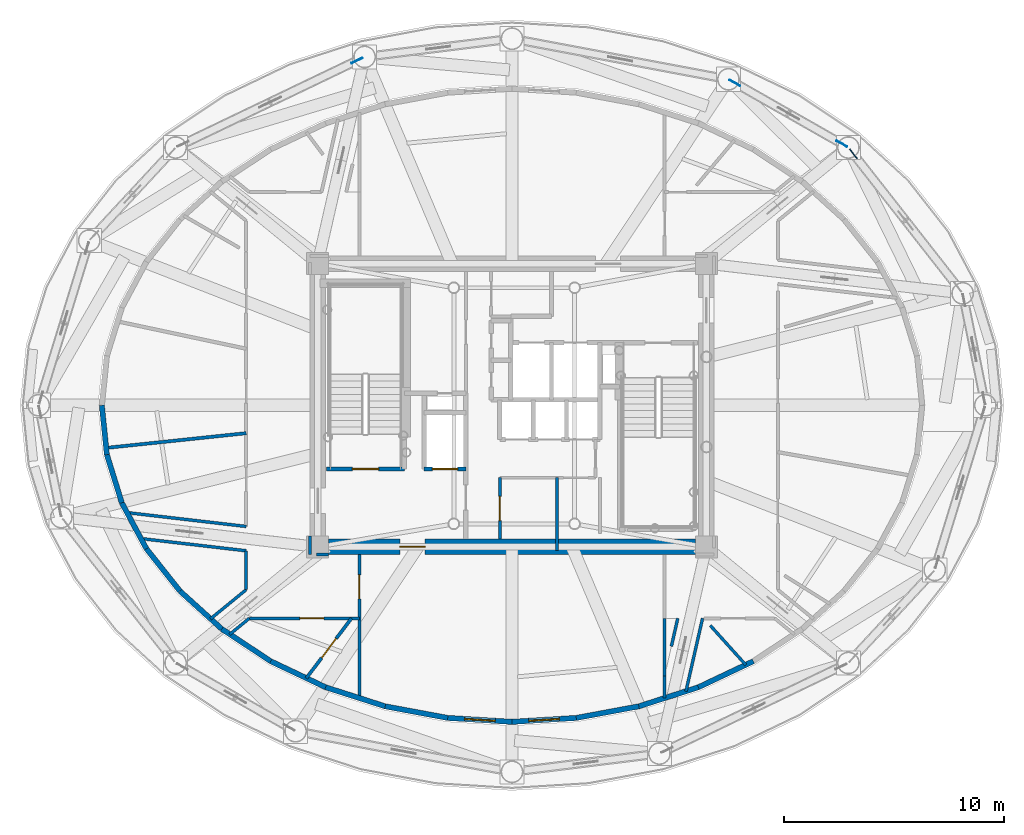
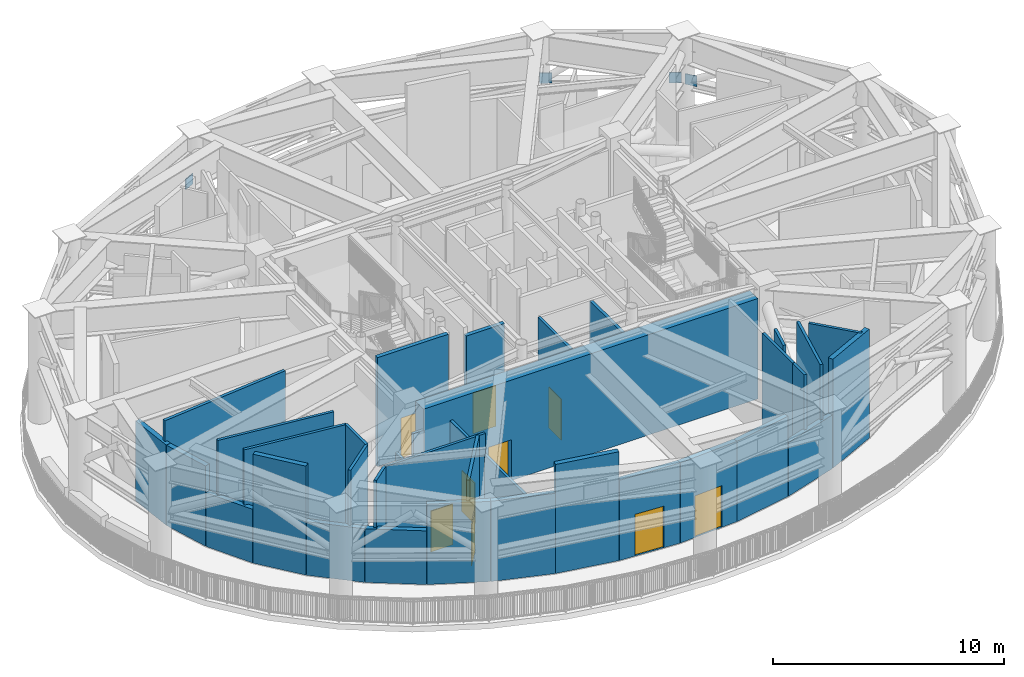
# One storey, part 7 of 17: 35 walls, 9 doors, 4 plates, 9 openings.
"""IFC4 building model written with IfcOpenShell, lengths in metres."""

from ifc_helpers import new_model, si_unit, direction, frame, frame_2d, origin, origin_2d, place, context, subcontext, project, spatial, rectangle, extrude, source, transform, mapped, material, layer, layer_set, type_object, element, fill, save


model = new_model("IFC4")

# Units and contexts
model_context = context("Model", 3, precision=1e-05, world=origin(), true_north=direction((0.0, 1.0)))
body_context = subcontext(model_context, "Body", "Model", "MODEL_VIEW")
ifc_project = project(units=[si_unit("LENGTHUNIT", "METRE"), si_unit("AREAUNIT", "SQUARE_METRE"), si_unit("VOLUMEUNIT", "CUBIC_METRE"), si_unit("PLANEANGLEUNIT", "RADIAN"), si_unit("MASSUNIT", "GRAM", prefix="KILO")], contexts=[model_context])

# Site, building, storey
site_placement = place(None, origin())
site = spatial("IfcSite", under=ifc_project, at=site_placement, CompositionType="ELEMENT")
building_placement = place(site_placement, origin())
building = spatial("IfcBuilding", under=site, at=building_placement, Name="Linh Dai School and Residence Tower", CompositionType="ELEMENT")
storey_placement = place(building_placement, frame((0.0, 0.0, 318.0)))
storey = spatial("IfcBuildingStorey", under=building, at=storey_placement, Name="L79", CompositionType="ELEMENT", Elevation=318.0)

# Plates
ifc_material_1 = material(Name="Structural Steel S355JR", Category="steel")
ifc_layer_1 = layer(ifc_material_1, 0.0400390625)
ifc_layer_set_1 = layer_set([ifc_layer_1], Name="Structural Steel S355JR")
plate_type = type_object("IfcPlateType", Name="PLT-GP1", PredefinedType="USERDEFINED", material=ifc_layer_set_1)
shared_shape_1 = source(origin(), body_context, "Body", "SweptSolid", [
    extrude(rectangle(XDim=0.550048828125, YDim=0.0400390625, at=origin_2d()), origin(), (0.0, 0.0, 1.0), 0.550048828125),
])
for number, where, z_axis, x_axis, name in (
    (1, (51.543701171875, 38.441650390625, 2.97265625), (0.0, 0.0, 1.0), (-0.616871256909, 0.787064071343, 0.0), "L79 Belt Truss BT4 Root End Gusset 02B"),
    (2, (51.018310546875, 38.902099609375, 3.01953125), (0.0, 0.0, 1.0), (-0.86927465453, 0.494329419508, 0.0), "L79 Belt Truss BT4 Root End Gusset 03A"),
    (3, (46.151123046875, 41.669921875, 3.01953125), (0.0, 0.0, 1.0), (-0.86927465453, 0.494329419508, 0.0), "L79 Belt Truss BT4 Root End Gusset 03B"),
    (4, (28.945068359375, 42.693603515625, 2.9541015625), (0.0, 0.0, 1.0), (-0.901725774799, -0.432308485994, 0.0), "L79 Belt Truss BT4 Root End Gusset 06A"),
):
    element("IfcPlate", number, at=place(storey_placement, frame(where, z_axis=z_axis, x_axis=x_axis)), inside=storey, type_object=plate_type, Name=name, ObjectType="GUSSET PLATE", PredefinedType="USERDEFINED", context=body_context, shape_type="MappedRepresentation", body=[
        mapped(shared_shape_1, transform((0.0, 0.0, 0.0), x_axis=(1.0, 0.0, 0.0), y_axis=(0.0, 1.0, 0.0), z_axis=(0.0, 0.0, 1.0), scale=1.0)),
    ])

# Walls
ifc_material_2 = material(Name="Precast Concrete B45 (C35/45)", Category="concrete")
ifc_layer_2 = layer(ifc_material_2, 0.239990234375)
ifc_layer_set_2 = layer_set([ifc_layer_2], Name="Precast Concrete B45 (C35/45)")
wall_type_1 = type_object("IfcWallType", Name="EW-TC-240", PredefinedType="SOLIDWALL", material=ifc_layer_set_2)
wall_1_placement = place(storey_placement, frame((17.553955078125, 24.75048828125, 0.0), z_axis=(0.0, 0.0, 1.0), x_axis=(-0.101278157468, 0.994858148089, 0.0)))
element("IfcWall", 5, at=wall_1_placement, inside=storey, type_object=wall_type_1, Name="L79 Terracotta Exterior Wall 21", PredefinedType="SOLIDWALL", context=body_context, shape_type="SweptSolid", body=[
    extrude(rectangle(XDim=2.26123046875, YDim=0.239990234375, at=frame_2d((1.130615234375, 0.0))), origin(), (0.0, 0.0, 1.0), 4.235107421875),
])
wall_2_placement = place(storey_placement, frame((18.2353515625, 22.555419921875, 0.0), z_axis=(0.0, 0.0, 1.0), x_axis=(-0.296466035026, 0.95504339696, 0.0)))
element("IfcWall", 6, at=wall_2_placement, inside=storey, type_object=wall_type_1, Name="L79 Terracotta Exterior Wall 22", PredefinedType="SOLIDWALL", context=body_context, shape_type="SweptSolid", body=[
    extrude(rectangle(XDim=2.29833984375, YDim=0.239990234375, at=frame_2d((1.149169921875, 0.0))), origin(), (0.0, 0.0, 1.0), 4.235107421875),
])
wall_3_placement = place(storey_placement, frame((19.353515625, 20.4677734375, 0.0), z_axis=(0.0, 0.0, 1.0), x_axis=(-0.472149891985, 0.881518280865, 0.0)))
element("IfcWall", 7, at=wall_3_placement, inside=storey, type_object=wall_type_1, Name="L79 Terracotta Exterior Wall 23", PredefinedType="SOLIDWALL", context=body_context, shape_type="SweptSolid", body=[
    extrude(rectangle(XDim=2.3681640625, YDim=0.239990234375, at=frame_2d((1.18408203125, 0.0))), origin(), (0.0, 0.0, 1.0), 2.83203125),
])
wall_4_placement = place(storey_placement, frame((20.881591796875, 18.539306640625, 0.0), z_axis=(0.0, 0.0, 1.0), x_axis=(-0.621045987707, 0.783774126361, 0.0)))
element("IfcWall", 8, at=wall_4_placement, inside=storey, type_object=wall_type_1, Name="L79 Terracotta Exterior Wall 24", PredefinedType="SOLIDWALL", context=body_context, shape_type="SweptSolid", body=[
    extrude(rectangle(XDim=2.46044921875, YDim=0.239990234375, at=frame_2d((1.230224609375, 0.0))), origin(), (0.0, 0.0, 1.0), 5.75),
])
wall_5_placement = place(storey_placement, frame((22.782958984375, 16.817626953125, 0.0), z_axis=(0.0, 0.0, 1.0), x_axis=(-0.741265131079, 0.671212340058, 0.0)))
element("IfcWall", 9, at=wall_5_placement, inside=storey, type_object=wall_type_1, Name="L79 Terracotta Exterior Wall 25", PredefinedType="SOLIDWALL", context=body_context, shape_type="SweptSolid", body=[
    extrude(rectangle(XDim=2.56494140625, YDim=0.239990234375, at=frame_2d((1.282470703125, 0.0))), origin(), (0.0, 0.0, 1.0), 2.83203125),
])
wall_6_placement = place(storey_placement, frame((25.010986328125, 15.345947265625, 0.0), z_axis=(0.0, 0.0, 1.0), x_axis=(-0.834405901953, 0.551150424827, 0.0)))
element("IfcWall", 10, at=wall_6_placement, inside=storey, type_object=wall_type_1, Name="L79 Terracotta Exterior Wall 26", PredefinedType="SOLIDWALL", context=body_context, shape_type="SweptSolid", body=[
    extrude(rectangle(XDim=2.670166015625, YDim=0.239990234375, at=frame_2d((1.3349609375, 0.0))), origin(), (0.0, 0.0, 1.0), 2.83203125),
])
wall_7_placement = place(storey_placement, frame((27.5107421875, 14.1611328125, 0.0), z_axis=(0.0, 0.0, 1.0), x_axis=(-0.903637179904, 0.428298782505, 0.0)))
element("IfcWall", 11, at=wall_7_placement, inside=storey, type_object=wall_type_1, Name="L79 Terracotta Exterior Wall 27", PredefinedType="SOLIDWALL", context=body_context, shape_type="SweptSolid", body=[
    extrude(rectangle(XDim=2.766357421875, YDim=0.239990234375, at=frame_2d((1.38330078125, 0.0))), origin(), (0.0, 0.0, 1.0), 4.235107421875),
])
wall_8_placement = place(storey_placement, frame((30.220947265625, 13.29296875, 0.0), z_axis=(0.0, 0.0, 1.0), x_axis=(-0.952332464146, 0.305062088326, 0.0)))
element("IfcWall", 12, at=wall_8_placement, inside=storey, type_object=wall_type_1, Name="L79 Terracotta Exterior Wall 28", PredefinedType="SOLIDWALL", context=body_context, shape_type="SweptSolid", body=[
    extrude(rectangle(XDim=2.845947265625, YDim=0.239990234375, at=frame_2d((1.4228515625, 0.0))), origin(), (0.0, 0.0, 1.0), 4.235107421875),
])
wall_9_placement = place(storey_placement, frame((33.07421875, 12.76318359375, 0.0), z_axis=(0.0, 0.0, 1.0), x_axis=(-0.983195423776, 0.182556179481, 0.0)))
element("IfcWall", 13, at=wall_9_placement, inside=storey, type_object=wall_type_1, Name="L79 Terracotta Exterior Wall 29", PredefinedType="SOLIDWALL", context=body_context, shape_type="SweptSolid", body=[
    extrude(rectangle(XDim=2.902099609375, YDim=0.239990234375, at=frame_2d((1.451171875, 0.0))), origin(), (0.0, 0.0, 1.0), 5.75),
])

# Wall, opening, door
wall_10_placement = place(storey_placement, frame((36.0, 12.5849609375, 0.0), z_axis=(0.0, 0.0, 1.0), x_axis=(-0.998149855878, 0.060801852035, 0.0)))
wall_10 = element("IfcWall", 14, at=wall_10_placement, inside=storey, type_object=wall_type_1, Name="L79 Terracotta Exterior Wall 30", PredefinedType="SOLIDWALL", context=body_context, shape_type="SweptSolid", body=[
    extrude(rectangle(XDim=2.93115234375, YDim=0.239990234375, at=frame_2d((1.465576171875, 0.0))), origin(), (0.0, 0.0, 1.0), 4.235107421875),
])
opening_1_placement = place(wall_10_placement, frame((0.765625, 0.0, 0.0)))
opening_1 = element("IfcOpeningElement", 15, at=opening_1_placement, cuts=wall_10, Name="Opening DD1", PredefinedType="OPENING", context=body_context, shape_type="SweptSolid", body=[
    extrude(rectangle(XDim=1.39990234375, YDim=2.199951171875, at=origin_2d()), frame((0.699951171875, 0.1298828125, 1.10009765625), z_axis=(0.0, -1.0, 0.0), x_axis=(1.0, 0.0, 0.0)), (0.0, 0.0, 1.0), 0.260009765625),
])
ifc_material_3 = material(Name="Glazed Aluminium Terrace Door", Category="aluminium")
door_type_1 = type_object("IfcDoorType", Name="DR-DECK-1400x2200", OperationType="NOTDEFINED", PredefinedType="DOOR", material=ifc_material_3)
shared_shape_2 = source(origin(), body_context, "Body", "SweptSolid", [
    extrude(rectangle(XDim=1.39990234375, YDim=2.199951171875, at=origin_2d()), frame((0.699951171875, 0.02490234375, 1.10009765625), z_axis=(0.0, -1.0, 0.0), x_axis=(1.0, 0.0, 0.0)), (0.0, 0.0, 1.0), 0.050048828125),
])
door_1_placement = place(opening_1_placement, origin())
door_1 = element("IfcDoor", 16, at=door_1_placement, inside=storey, type_object=door_type_1, Name="L79 Outdoor Terrace Access Door 30", OperationType="SINGLE_SWING_LEFT", OverallHeight=2.199951171875, OverallWidth=1.39990234375, PredefinedType="DOOR", context=body_context, shape_type="MappedRepresentation", body=[
    mapped(shared_shape_2, transform((0.0, 0.0, 0.0), x_axis=(1.0, 0.0, 0.0), y_axis=(0.0, 1.0, 0.0), z_axis=(0.0, 0.0, 1.0), scale=1.0)),
])
fill(opening_1, door_1)

wall_11_placement = place(storey_placement, frame((38.92578125, 12.76318359375, 0.0), z_axis=(0.0, 0.0, 1.0), x_axis=(-0.998149855878, -0.060801852035, 0.0)))
wall_11 = element("IfcWall", 17, at=wall_11_placement, inside=storey, type_object=wall_type_1, Name="L79 Terracotta Exterior Wall 31", PredefinedType="SOLIDWALL", context=body_context, shape_type="SweptSolid", body=[
    extrude(rectangle(XDim=2.93115234375, YDim=0.239990234375, at=frame_2d((1.465576171875, 0.0))), origin(), (0.0, 0.0, 1.0), 4.235107421875),
])
opening_2_placement = place(wall_11_placement, frame((0.765625, 0.0, 0.0)))
opening_2 = element("IfcOpeningElement", 18, at=opening_2_placement, cuts=wall_11, Name="Opening DD1", PredefinedType="OPENING", context=body_context, shape_type="SweptSolid", body=[
    extrude(rectangle(XDim=1.39990234375, YDim=2.199951171875, at=origin_2d()), frame((0.699951171875, 0.1298828125, 1.10009765625), z_axis=(0.0, -1.0, 0.0), x_axis=(1.0, 0.0, 0.0)), (0.0, 0.0, 1.0), 0.260009765625),
])
door_2_placement = place(opening_2_placement, origin())
door_2 = element("IfcDoor", 19, at=door_2_placement, inside=storey, type_object=door_type_1, Name="L79 Outdoor Terrace Access Door 31", OperationType="SINGLE_SWING_RIGHT", OverallHeight=2.199951171875, OverallWidth=1.39990234375, PredefinedType="DOOR", context=body_context, shape_type="MappedRepresentation", body=[
    mapped(shared_shape_2, transform((0.0, 0.0, 0.0), x_axis=(1.0, 0.0, 0.0), y_axis=(0.0, 1.0, 0.0), z_axis=(0.0, 0.0, 1.0), scale=1.0)),
])
fill(opening_2, door_2)

# Walls
wall_12_placement = place(storey_placement, frame((41.779052734375, 13.29296875, 0.0), z_axis=(0.0, 0.0, 1.0), x_axis=(-0.983195423776, -0.182556179481, 0.0)))
element("IfcWall", 20, at=wall_12_placement, inside=storey, type_object=wall_type_1, Name="L79 Terracotta Exterior Wall 32", PredefinedType="SOLIDWALL", context=body_context, shape_type="SweptSolid", body=[
    extrude(rectangle(XDim=2.902099609375, YDim=0.239990234375, at=frame_2d((1.451171875, 0.0))), origin(), (0.0, 0.0, 1.0), 4.235107421875),
])
wall_13_placement = place(storey_placement, frame((44.4892578125, 14.1611328125, 0.0), z_axis=(0.0, 0.0, 1.0), x_axis=(-0.952332464146, -0.305062088326, 0.0)))
element("IfcWall", 21, at=wall_13_placement, inside=storey, type_object=wall_type_1, Name="L79 Terracotta Exterior Wall 33", PredefinedType="SOLIDWALL", context=body_context, shape_type="SweptSolid", body=[
    extrude(rectangle(XDim=2.845947265625, YDim=0.239990234375, at=frame_2d((1.4228515625, 0.0))), origin(), (0.0, 0.0, 1.0), 2.83203125),
])
wall_14_placement = place(storey_placement, frame((46.989013671875, 15.345947265625, 0.0), z_axis=(0.0, 0.0, 1.0), x_axis=(-0.903637179904, -0.428298782505, 0.0)))
element("IfcWall", 22, at=wall_14_placement, inside=storey, type_object=wall_type_1, Name="L79 Terracotta Exterior Wall 34", PredefinedType="SOLIDWALL", context=body_context, shape_type="SweptSolid", body=[
    extrude(rectangle(XDim=2.766357421875, YDim=0.239990234375, at=frame_2d((1.38330078125, 0.0))), origin(), (0.0, 0.0, 1.0), 5.75),
])
ifc_material_4 = material(Name="Autoclaved Aerated Concrete Blockwork", Category="masonry")
ifc_layer_3 = layer(ifc_material_4, 0.135009765625)
ifc_layer_set_3 = layer_set([ifc_layer_3], Name="Autoclaved Aerated Concrete Blockwork")
wall_type_2 = type_object("IfcWallType", Name="IW-CORR-135-EI90", PredefinedType="PARTITIONING", material=ifc_layer_set_3)
wall_15_placement = place(storey_placement, frame((18.466796875, 22.112548828125, 0.0), z_axis=(0.0, 0.0, 1.0), x_axis=(0.993315952132, -0.115427116573, 0.0)))
element("IfcWall", 23, at=wall_15_placement, inside=storey, type_object=wall_type_2, Name="L79 Interior Partition Wall 003", PredefinedType="PARTITIONING", context=body_context, shape_type="SweptSolid", body=[
    extrude(rectangle(XDim=5.4697265625, YDim=0.135009765625, at=frame_2d((2.73486328125, 0.0))), origin(), (0.0, 0.0, 1.0), 5.75),
])
wall_16_placement = place(storey_placement, frame((23.148681640625, 16.56982421875, 0.0), z_axis=(0.0, 0.0, 1.0), x_axis=(0.774324787676, 0.632788371568, 0.0)))
element("IfcWall", 24, at=wall_16_placement, inside=storey, type_object=wall_type_2, Name="L79 Interior Partition Wall 004", PredefinedType="PARTITIONING", context=body_context, shape_type="SweptSolid", body=[
    extrude(rectangle(XDim=1.154052734375, YDim=0.135009765625, at=frame_2d((0.5771484375, 0.0))), origin(), (0.0, 0.0, 1.0), 5.3349609375),
])

# Wall, opening, door
wall_17_placement = place(storey_placement, frame((24.042236328125, 17.300048828125, 0.0), z_axis=(0.0, 0.0, 1.0), x_axis=(1.0, 0.0, 0.0)))
wall_17 = element("IfcWall", 25, at=wall_17_placement, inside=storey, type_object=wall_type_2, Name="L79 Interior Partition Wall 007", PredefinedType="PARTITIONING", context=body_context, shape_type="SweptSolid", body=[
    extrude(rectangle(XDim=5.0078125, YDim=0.135009765625, at=frame_2d((2.50390625, 0.0))), origin(), (0.0, 0.0, 1.0), 5.3349609375),
])
opening_3_placement = place(wall_17_placement, frame((2.29638671875, 0.0, 0.0)))
opening_3 = element("IfcOpeningElement", 26, at=opening_3_placement, cuts=wall_17, Name="Opening D07", PredefinedType="OPENING", context=body_context, shape_type="SweptSolid", body=[
    extrude(rectangle(XDim=1.10009765625, YDim=2.14990234375, at=origin_2d()), frame((0.550048828125, 0.07763671875, 1.074951171875), z_axis=(0.0, -1.0, 0.0), x_axis=(1.0, 0.0, 0.0)), (0.0, 0.0, 1.0), 0.155029296875),
])
ifc_material_5 = material(Name="Fire-Rated Louvred Steel Plant Door", Category="steel")
door_type_2 = type_object("IfcDoorType", Name="DR-PLT-1100x2150-FD60S", OperationType="NOTDEFINED", PredefinedType="DOOR", material=ifc_material_5)
shared_shape_3 = source(origin(), body_context, "Body", "SweptSolid", [
    extrude(rectangle(XDim=1.10009765625, YDim=2.14990234375, at=origin_2d()), frame((0.550048828125, 0.02490234375, 1.074951171875), z_axis=(0.0, -1.0, 0.0), x_axis=(1.0, 0.0, 0.0)), (0.0, 0.0, 1.0), 0.050048828125),
])
door_3_placement = place(opening_3_placement, origin())
door_3 = element("IfcDoor", 27, at=door_3_placement, inside=storey, type_object=door_type_2, Name="L79 Stair Pressurisation Fan Plant Room Door", OperationType="SINGLE_SWING_RIGHT", OverallHeight=2.14990234375, OverallWidth=1.10009765625, PredefinedType="DOOR", context=body_context, shape_type="MappedRepresentation", body=[
    mapped(shared_shape_3, transform((0.0, 0.0, 0.0), x_axis=(1.0, 0.0, 0.0), y_axis=(0.0, 1.0, 0.0), z_axis=(0.0, 0.0, 1.0), scale=1.0)),
])
fill(opening_3, door_3)

wall_18_placement = place(storey_placement, frame((29.050048828125, 13.662841796875, 0.0), z_axis=(0.0, 0.0, 1.0), x_axis=(0.0, 1.0, 0.0)))
wall_18 = element("IfcWall", 28, at=wall_18_placement, inside=storey, type_object=wall_type_2, Name="L79 Interior Partition Wall 012", PredefinedType="PARTITIONING", context=body_context, shape_type="SweptSolid", body=[
    extrude(rectangle(XDim=6.537109375, YDim=0.135009765625, at=frame_2d((3.2685546875, 0.0))), origin(), (0.0, 0.0, 1.0), 4.235107421875),
])
opening_4_placement = place(wall_18_placement, frame((4.517333984375, 0.0, 0.0)))
opening_4 = element("IfcOpeningElement", 29, at=opening_4_placement, cuts=wall_18, Name="Opening D07", PredefinedType="OPENING", context=body_context, shape_type="SweptSolid", body=[
    extrude(rectangle(XDim=1.10009765625, YDim=2.14990234375, at=origin_2d()), frame((0.550048828125, 0.07763671875, 1.074951171875), z_axis=(0.0, -1.0, 0.0), x_axis=(1.0, 0.0, 0.0)), (0.0, 0.0, 1.0), 0.155029296875),
])
door_4_placement = place(opening_4_placement, origin())
door_4 = element("IfcDoor", 30, at=door_4_placement, inside=storey, type_object=door_type_2, Name="L79 Pressurised Fire Refuge Area South Corridor Door", OperationType="SINGLE_SWING_RIGHT", OverallHeight=2.14990234375, OverallWidth=1.10009765625, PredefinedType="DOOR", context=body_context, shape_type="MappedRepresentation", body=[
    mapped(shared_shape_3, transform((0.0, 0.0, 0.0), x_axis=(1.0, 0.0, 0.0), y_axis=(0.0, 1.0, 0.0), z_axis=(0.0, 0.0, 1.0), scale=1.0)),
])
fill(opening_4, door_4)

wall_19_placement = place(storey_placement, frame((35.449951171875, 20.89990234375, 0.0), z_axis=(0.0, 0.0, 1.0), x_axis=(0.0, 1.0, 0.0)))
wall_19 = element("IfcWall", 31, at=wall_19_placement, inside=storey, type_object=wall_type_2, Name="L79 Interior Partition Wall 028", PredefinedType="PARTITIONING", context=body_context, shape_type="SweptSolid", body=[
    extrude(rectangle(XDim=2.800048828125, YDim=0.135009765625, at=frame_2d((1.39990234375, 0.0))), origin(), (0.0, 0.0, 1.0), 5.3349609375),
])
opening_5_placement = place(wall_19_placement, frame((0.85009765625, 0.0, 0.0)))
opening_5 = element("IfcOpeningElement", 32, at=opening_5_placement, cuts=wall_19, Name="Opening D07", PredefinedType="OPENING", context=body_context, shape_type="SweptSolid", body=[
    extrude(rectangle(XDim=1.10009765625, YDim=2.14990234375, at=origin_2d()), frame((0.550048828125, 0.07763671875, 1.074951171875), z_axis=(0.0, -1.0, 0.0), x_axis=(1.0, 0.0, 0.0)), (0.0, 0.0, 1.0), 0.155029296875),
])
door_5_placement = place(opening_5_placement, origin())
door_5 = element("IfcDoor", 33, at=door_5_placement, inside=storey, type_object=door_type_2, Name="L79 Floor Electrical Switchroom Door", OperationType="SINGLE_SWING_RIGHT", OverallHeight=2.14990234375, OverallWidth=1.10009765625, PredefinedType="DOOR", context=body_context, shape_type="MappedRepresentation", body=[
    mapped(shared_shape_3, transform((0.0, 0.0, 0.0), x_axis=(1.0, 0.0, 0.0), y_axis=(0.0, 1.0, 0.0), z_axis=(0.0, 0.0, 1.0), scale=1.0)),
])
fill(opening_5, door_5)

# Walls
wall_20_placement = place(storey_placement, frame((42.949951171875, 13.662841796875, 0.0), z_axis=(0.0, 0.0, 1.0), x_axis=(0.0, 1.0, 0.0)))
element("IfcWall", 34, at=wall_20_placement, inside=storey, type_object=wall_type_2, Name="L79 Interior Partition Wall 045", PredefinedType="PARTITIONING", context=body_context, shape_type="SweptSolid", body=[
    extrude(rectangle(XDim=1.00732421875, YDim=0.135009765625, at=frame_2d((0.503662109375, 0.0))), origin(), (0.0, 0.0, 1.0), 5.75),
])
wall_21_placement = place(storey_placement, frame((42.949951171875, 17.2900390625, 0.0), z_axis=(0.0, 0.0, 1.0), x_axis=(0.0, -1.0, 0.0)))
element("IfcWall", 35, at=wall_21_placement, inside=storey, type_object=wall_type_2, Name="L79 Interior Partition Wall 057", PredefinedType="PARTITIONING", context=body_context, shape_type="SweptSolid", body=[
    extrude(rectangle(XDim=2.60986328125, YDim=0.135009765625, at=frame_2d((1.304931640625, 0.0))), origin(), (0.0, 0.0, 1.0), 5.75),
])
wall_22_placement = place(storey_placement, frame((22.271728515625, 17.273681640625, 0.0), z_axis=(0.0, 0.0, 1.0), x_axis=(0.774324461251, 0.632788771003, 0.0)))
element("IfcWall", 36, at=wall_22_placement, inside=storey, type_object=wall_type_2, Name="L79 Interior Partition Wall 058", PredefinedType="PARTITIONING", context=body_context, shape_type="SweptSolid", body=[
    extrude(rectangle(XDim=2.102783203125, YDim=0.135009765625, at=frame_2d((1.05126953125, 0.0))), origin(), (0.0, 0.0, 1.0), 5.75),
])
wall_23_placement = place(storey_placement, frame((23.89990234375, 18.604248046875, 0.0), z_axis=(0.0, 0.0, 1.0), x_axis=(0.0, 1.0, 0.0)))
element("IfcWall", 37, at=wall_23_placement, inside=storey, type_object=wall_type_2, Name="L79 Interior Partition Wall 059", PredefinedType="PARTITIONING", context=body_context, shape_type="SweptSolid", body=[
    extrude(rectangle(XDim=1.76953125, YDim=0.135009765625, at=frame_2d((0.884765625, 0.0))), origin(), (0.0, 0.0, 1.0), 5.75),
])
wall_24_placement = place(storey_placement, frame((23.89990234375, 20.373779296875, 0.0), z_axis=(0.0, 0.0, 1.0), x_axis=(-0.993315464897, 0.115431309428, 0.0)))
element("IfcWall", 38, at=wall_24_placement, inside=storey, type_object=wall_type_2, Name="L79 Interior Partition Wall 060", PredefinedType="PARTITIONING", context=body_context, shape_type="SweptSolid", body=[
    extrude(rectangle(XDim=4.832763671875, YDim=0.135009765625, at=frame_2d((2.41650390625, 0.0))), origin(), (0.0, 0.0, 1.0), 5.75),
])
wall_25_placement = place(storey_placement, frame((26.800048828125, 21.0400390625, 0.0), z_axis=(0.0, 0.0, 1.0), x_axis=(0.0, -1.0, 0.0)))
element("IfcWall", 39, at=wall_25_placement, inside=storey, type_object=wall_type_2, Name="L79 Interior Partition Wall 067", PredefinedType="PARTITIONING", context=body_context, shape_type="SweptSolid", body=[
    extrude(rectangle(XDim=0.840087890625, YDim=0.135009765625, at=frame_2d((0.419921875, 0.0))), origin(), (0.0, 0.0, 1.0), 2.83203125),
])
wall_26_placement = place(storey_placement, frame((27.107421875, 20.199951171875, 0.0), z_axis=(0.0, 0.0, 1.0), x_axis=(1.0, 0.0, 0.0)))
element("IfcWall", 40, at=wall_26_placement, inside=storey, type_object=wall_type_2, Name="L79 Interior Partition Wall 068", PredefinedType="PARTITIONING", context=body_context, shape_type="SweptSolid", body=[
    extrude(rectangle(XDim=0.532470703125, YDim=0.135009765625, at=frame_2d((0.26611328125, 0.0))), origin(), (0.0, 0.0, 1.0), 4.235107421875),
])
wall_27_placement = place(storey_placement, frame((44.675537109375, 17.300048828125, 0.0), z_axis=(0.0, 0.0, 1.0), x_axis=(-0.221565425892, -0.975145508142, 0.0)))
element("IfcWall", 41, at=wall_27_placement, inside=storey, type_object=wall_type_2, Name="L79 Interior Partition Wall 069", PredefinedType="PARTITIONING", context=body_context, shape_type="SweptSolid", body=[
    extrude(rectangle(XDim=3.411376953125, YDim=0.135009765625, at=frame_2d((1.70556640625, 0.0))), origin(), (0.0, 0.0, 1.0), 5.75),
])
wall_28_placement = place(storey_placement, frame((43.257568359375, 16.023681640625, 0.0), z_axis=(0.0, 0.0, 1.0), x_axis=(0.221588855945, 0.975140184241, 0.0)))
element("IfcWall", 42, at=wall_28_placement, inside=storey, type_object=wall_type_2, Name="L79 Interior Partition Wall 070", PredefinedType="PARTITIONING", context=body_context, shape_type="SweptSolid", body=[
    extrude(rectangle(XDim=1.308837890625, YDim=0.135009765625, at=frame_2d((0.654296875, 0.0))), origin(), (0.0, 0.0, 1.0), 5.75),
])
wall_29_placement = place(storey_placement, frame((46.645263671875, 15.17724609375, 0.0), z_axis=(0.0, 0.0, 1.0), x_axis=(-0.669148972563, 0.743128288062, 0.0)))
element("IfcWall", 43, at=wall_29_placement, inside=storey, type_object=wall_type_2, Name="L79 Interior Partition Wall 089", PredefinedType="PARTITIONING", context=body_context, shape_type="SweptSolid", body=[
    extrude(rectangle(XDim=2.415771484375, YDim=0.135009765625, at=frame_2d((1.2080078125, 0.0))), origin(), (0.0, 0.0, 1.0), 5.75),
])
ifc_layer_4 = layer(ifc_material_4, 0.14990234375)
ifc_layer_set_4 = layer_set([ifc_layer_4], Name="Autoclaved Aerated Concrete Blockwork")
wall_type_3 = type_object("IfcWallType", Name="IW-SCH-150-EI60", PredefinedType="PARTITIONING", material=ifc_layer_set_4)
wall_30_placement = place(storey_placement, frame((17.517578125, 25.057373046875, 0.0), z_axis=(0.0, 0.0, 1.0), x_axis=(0.994520451451, 0.104542200313, 0.0)))
element("IfcWall", 44, at=wall_30_placement, inside=storey, type_object=wall_type_3, Name="L79 Interior Partition Wall 001", PredefinedType="PARTITIONING", context=body_context, shape_type="SweptSolid", body=[
    extrude(rectangle(XDim=6.41748046875, YDim=0.14990234375, at=frame_2d((3.208740234375, 0.0))), origin(), (0.0, 0.0, 1.0), 5.3349609375),
])

# Wall, opening, door
wall_31_placement = place(storey_placement, frame((26.634033203125, 14.571044921875, 0.0), z_axis=(0.0, 0.0, 1.0), x_axis=(0.601804670705, 0.79864331107, 0.0)))
wall_31 = element("IfcWall", 45, at=wall_31_placement, inside=storey, type_object=wall_type_3, Name="L79 Interior Partition Wall 009", PredefinedType="PARTITIONING", context=body_context, shape_type="SweptSolid", body=[
    extrude(rectangle(XDim=3.4169921875, YDim=0.14990234375, at=frame_2d((1.70849609375, 0.0))), origin(), (0.0, 0.0, 1.0), 5.3349609375),
])
opening_6_placement = place(wall_31_placement, frame((1.158447265625, 0.0, 0.0)))
opening_6 = element("IfcOpeningElement", 46, at=opening_6_placement, cuts=wall_31, Name="Opening D07", PredefinedType="OPENING", context=body_context, shape_type="SweptSolid", body=[
    extrude(rectangle(XDim=1.10009765625, YDim=2.14990234375, at=origin_2d()), frame((0.550048828125, 0.0849609375, 1.074951171875), z_axis=(0.0, -1.0, 0.0), x_axis=(1.0, 0.0, 0.0)), (0.0, 0.0, 1.0), 0.169921875),
])
door_6_placement = place(opening_6_placement, origin())
door_6 = element("IfcDoor", 47, at=door_6_placement, inside=storey, type_object=door_type_2, Name="L79 Smoke Extract Fan Plant Room Door", OperationType="SINGLE_SWING_LEFT", OverallHeight=2.14990234375, OverallWidth=1.10009765625, PredefinedType="DOOR", context=body_context, shape_type="MappedRepresentation", body=[
    mapped(shared_shape_3, transform((0.0, 0.0, 0.0), x_axis=(1.0, 0.0, 0.0), y_axis=(0.0, 1.0, 0.0), z_axis=(0.0, 0.0, 1.0), scale=1.0)),
])
fill(opening_6, door_6)

# Wall
wall_32_placement = place(storey_placement, frame((38.050048828125, 20.3798828125, 0.0), z_axis=(0.0, 0.0, 1.0), x_axis=(0.0, 1.0, 0.0)))
element("IfcWall", 48, at=wall_32_placement, inside=storey, type_object=wall_type_3, Name="L79 Interior Partition Wall 038", PredefinedType="PARTITIONING", context=body_context, shape_type="SweptSolid", body=[
    extrude(rectangle(XDim=3.320068359375, YDim=0.14990234375, at=frame_2d((1.66015625, 0.0))), origin(), (0.0, 0.0, 1.0), 5.284912109375),
])

# Wall, opening, door
ifc_material_6 = material(Name="Concrete B45 (C35/45)", Category="concrete")
ifc_layer_5 = layer(ifc_material_6, 0.199951171875)
ifc_layer_set_5 = layer_set([ifc_layer_5], Name="Concrete B45 (C35/45)")
wall_type_4 = type_object("IfcWallType", Name="IW-SHAFT-200-EI120", PredefinedType="PARTITIONING", material=ifc_layer_set_5)
wall_33_placement = place(storey_placement, frame((27.56005859375, 24.10009765625, 0.0), z_axis=(0.0, 0.0, 1.0), x_axis=(1.0, 0.0, 0.0)))
wall_33 = element("IfcWall", 49, at=wall_33_placement, inside=storey, type_object=wall_type_4, Name="L79 Interior Partition Wall 011", PredefinedType="PARTITIONING", context=body_context, shape_type="SweptSolid", body=[
    extrude(rectangle(XDim=3.5400390625, YDim=0.199951171875, at=frame_2d((1.77001953125, 0.0))), origin(), (0.0, 0.0, 1.0), 5.75),
])
opening_7_placement = place(wall_33_placement, frame((1.169921875, 0.0, 0.0)))
opening_7 = element("IfcOpeningElement", 50, at=opening_7_placement, cuts=wall_33, Name="Opening D01", PredefinedType="OPENING", context=body_context, shape_type="SweptSolid", body=[
    extrude(rectangle(XDim=1.199951171875, YDim=2.14990234375, at=origin_2d()), frame((0.60009765625, 0.10986328125, 1.074951171875), z_axis=(0.0, -1.0, 0.0), x_axis=(1.0, 0.0, 0.0)), (0.0, 0.0, 1.0), 0.219970703125),
])
ifc_material_7 = material(Name="Fire-Rated Steel Door Leaf", Category="steel")
door_type_3 = type_object("IfcDoorType", Name="DR-STAIR-1200x2150-FD90S", OperationType="NOTDEFINED", PredefinedType="DOOR", material=ifc_material_7)
shared_shape_4 = source(origin(), body_context, "Body", "SweptSolid", [
    extrude(rectangle(XDim=1.199951171875, YDim=2.14990234375, at=origin_2d()), frame((0.60009765625, 0.02490234375, 1.074951171875), z_axis=(0.0, -1.0, 0.0), x_axis=(1.0, 0.0, 0.0)), (0.0, 0.0, 1.0), 0.050048828125),
])
door_7_placement = place(opening_7_placement, origin())
door_7 = element("IfcDoor", 51, at=door_7_placement, inside=storey, type_object=door_type_3, Name="L79 Core Smokeproof Exit Stair ST1 Door", OperationType="SINGLE_SWING_RIGHT", OverallHeight=2.14990234375, OverallWidth=1.199951171875, PredefinedType="DOOR", context=body_context, shape_type="MappedRepresentation", body=[
    mapped(shared_shape_4, transform((0.0, 0.0, 0.0), x_axis=(1.0, 0.0, 0.0), y_axis=(0.0, 1.0, 0.0), z_axis=(0.0, 0.0, 1.0), scale=1.0)),
])
fill(opening_7, door_7)

wall_34_placement = place(storey_placement, frame((32.0, 24.10009765625, 0.0), z_axis=(0.0, 0.0, 1.0), x_axis=(1.0, 0.0, 0.0)))
wall_34 = element("IfcWall", 52, at=wall_34_placement, inside=storey, type_object=wall_type_4, Name="L79 Interior Partition Wall 018", PredefinedType="PARTITIONING", context=body_context, shape_type="SweptSolid", body=[
    extrude(rectangle(XDim=1.89990234375, YDim=0.199951171875, at=frame_2d((0.949951171875, 0.0))), origin(), (0.0, 0.0, 1.0), 5.3349609375),
])
opening_8_placement = place(wall_34_placement, frame((0.375, 0.0, 0.0)))
opening_8 = element("IfcOpeningElement", 53, at=opening_8_placement, cuts=wall_34, Name="Opening LD-FF2", PredefinedType="OPENING", context=body_context, shape_type="SweptSolid", body=[
    extrude(rectangle(XDim=1.14990234375, YDim=2.14990234375, at=origin_2d()), frame((0.574951171875, 0.10986328125, 1.074951171875), z_axis=(0.0, -1.0, 0.0), x_axis=(1.0, 0.0, 0.0)), (0.0, 0.0, 1.0), 0.219970703125),
])
ifc_material_8 = material(Name="Fire-Rated Stainless Steel Firefighting Lift Door", Category="steel")
door_type_4 = type_object("IfcDoorType", Name="DR-LD-FF-1150x2150-FD120", OperationType="DOUBLE_DOOR_SLIDING", PredefinedType="USERDEFINED", material=ifc_material_8)
shared_shape_5 = source(origin(), body_context, "Body", "SweptSolid", [
    extrude(rectangle(XDim=1.14990234375, YDim=2.14990234375, at=origin_2d()), frame((0.574951171875, 0.02490234375, 1.074951171875), z_axis=(0.0, -1.0, 0.0), x_axis=(1.0, 0.0, 0.0)), (0.0, 0.0, 1.0), 0.050048828125),
])
door_8_placement = place(opening_8_placement, origin())
door_8 = element("IfcDoor", 54, at=door_8_placement, inside=storey, type_object=door_type_4, Name="L79 Lift FF2 Sliding Landing Door", ObjectType="LANDING DOOR", OperationType="DOUBLE_DOOR_SLIDING", OverallHeight=2.14990234375, OverallWidth=1.14990234375, PredefinedType="USERDEFINED", context=body_context, shape_type="MappedRepresentation", body=[
    mapped(shared_shape_5, transform((0.0, 0.0, 0.0), x_axis=(1.0, 0.0, 0.0), y_axis=(0.0, 1.0, 0.0), z_axis=(0.0, 0.0, 1.0), scale=1.0)),
])
fill(opening_8, door_8)

ifc_layer_6 = layer(ifc_material_6, 0.699951171875)
ifc_layer_set_6 = layer_set([ifc_layer_6], Name="Concrete B45 (C35/45)")
wall_type_5 = type_object("IfcWallType", Name="WL-CORE700", PredefinedType="SHEAR", material=ifc_layer_set_6)
wall_35_placement = place(storey_placement, frame((44.35009765625, 20.550048828125, 0.0), z_axis=(0.0, 0.0, 1.0), x_axis=(-1.0, 0.0, 0.0)))
wall_35 = element("IfcWall", 55, at=wall_35_placement, inside=storey, type_object=wall_type_5, Name="L79 Central Core Shear Wall S", PredefinedType="SHEAR", context=body_context, shape_type="SweptSolid", body=[
    extrude(rectangle(XDim=16.7001953125, YDim=0.699951171875, at=frame_2d((8.35009765625, 0.0))), origin(), (0.0, 0.0, 1.0), 5.300048828125),
])
opening_9_placement = place(wall_35_placement, frame((12.300048828125, 0.0, 0.0)))
opening_9 = element("IfcOpeningElement", 56, at=opening_9_placement, cuts=wall_35, Name="Opening D02", PredefinedType="OPENING", context=body_context, shape_type="SweptSolid", body=[
    extrude(rectangle(XDim=1.14990234375, YDim=2.14990234375, at=origin_2d()), frame((0.574951171875, 0.35986328125, 1.074951171875), z_axis=(0.0, -1.0, 0.0), x_axis=(1.0, 0.0, 0.0)), (0.0, 0.0, 1.0), 0.719970703125),
])
ifc_material_9 = material(Name="Fire-Rated Glazed Steel Lobby Door", Category="steel")
door_type_5 = type_object("IfcDoorType", Name="DR-LOBBY-1150x2150-FD90S", OperationType="NOTDEFINED", PredefinedType="DOOR", material=ifc_material_9)
shared_shape_6 = source(origin(), body_context, "Body", "SweptSolid", [
    extrude(rectangle(XDim=1.14990234375, YDim=2.14990234375, at=origin_2d()), frame((0.574951171875, 0.02490234375, 1.074951171875), z_axis=(0.0, -1.0, 0.0), x_axis=(1.0, 0.0, 0.0)), (0.0, 0.0, 1.0), 0.050048828125),
])
door_9_placement = place(opening_9_placement, origin())
door_9 = element("IfcDoor", 57, at=door_9_placement, inside=storey, type_object=door_type_5, Name="L79 Refuge Lobby Access Door", OperationType="SINGLE_SWING_LEFT", OverallHeight=2.14990234375, OverallWidth=1.14990234375, PredefinedType="DOOR", context=body_context, shape_type="MappedRepresentation", body=[
    mapped(shared_shape_6, transform((0.0, 0.0, 0.0), x_axis=(1.0, 0.0, 0.0), y_axis=(0.0, 1.0, 0.0), z_axis=(0.0, 0.0, 1.0), scale=1.0)),
])
fill(opening_9, door_9)

save(model, "model.ifc")
